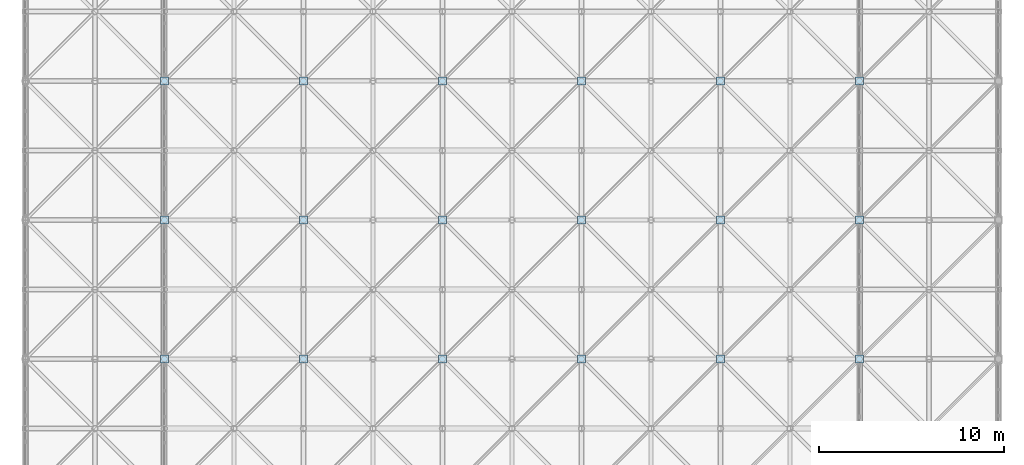
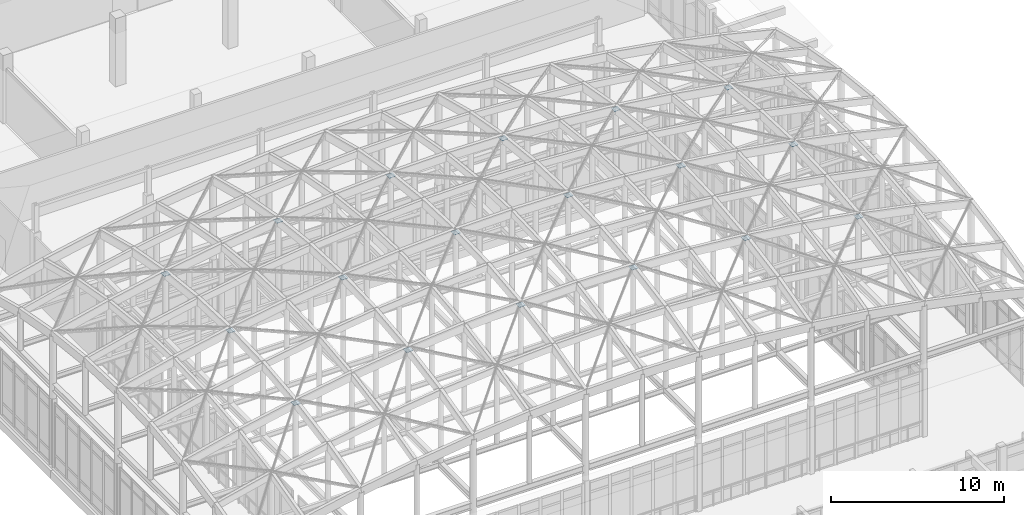
# One storey, part 96 of 131: 18 plates.
"""IFC4 building model written with IfcOpenShell, lengths in metres."""

from ifc_helpers import new_model, si_unit, direction, frame, origin, origin_2d, place, context, subcontext, project, spatial, rectangle, extrude, material, layer, layer_set, type_object, element, save


model = new_model("IFC4")

# Units and contexts
model_context = context("Model", 3, precision=1e-05, world=origin(), true_north=direction((0.0, 1.0)))
body_context = subcontext(model_context, "Body", "Model", "MODEL_VIEW")
ifc_project = project(units=[si_unit("LENGTHUNIT", "METRE"), si_unit("AREAUNIT", "SQUARE_METRE"), si_unit("VOLUMEUNIT", "CUBIC_METRE"), si_unit("PLANEANGLEUNIT", "RADIAN"), si_unit("MASSUNIT", "GRAM", prefix="KILO")], contexts=[model_context])

# Site, building, storey
site_placement = place(None, origin())
site = spatial("IfcSite", under=ifc_project, at=site_placement, CompositionType="ELEMENT")
building_placement = place(site_placement, origin())
building = spatial("IfcBuilding", under=site, at=building_placement, Name="Dalvernix Boulevard General Hospital", CompositionType="ELEMENT")
storey_placement = place(building_placement, frame((0.0, 0.0, 9.300048828125)))
storey = spatial("IfcBuildingStorey", under=building, at=storey_placement, Name="L02", CompositionType="ELEMENT", Elevation=9.300048828125)

# Plates
ifc_material = material(Name="Steel S355", Category="steel")
ifc_layer = layer(ifc_material, 0.02392578125)
ifc_layer_set = layer_set([ifc_layer], Name="Steel S355 (PLT-NP-02)")
plate_type = type_object("IfcPlateType", Name="PLT-NP-02", PredefinedType="SHEET", material=ifc_layer_set)
for number, where, z_axis, x_axis, name in (
    (1, (67.5, 39.0, 10.853271484375), (0.0, 0.0, 1.0), (1.0, 0.0, 0.0), "Gridshell steel node connector 2-2"),
    (2, (67.5, 46.5, 11.4033203125), (0.0, 0.0, 1.0), (1.0, 0.0, 0.0), "Gridshell steel node connector 2-4"),
    (3, (67.5, 54.0, 10.853271484375), (0.0, 0.0, 1.0), (1.0, 0.0, 0.0), "Gridshell steel node connector 2-6"),
    (4, (75.0, 39.0, 11.96337890625), (0.0, 0.0, 1.0), (1.0, 0.0, 0.0), "Gridshell steel node connector 4-2"),
    (5, (75.0, 46.5, 12.513427734375), (0.0, 0.0, 1.0), (1.0, 0.0, 0.0), "Gridshell steel node connector 4-4"),
    (6, (75.0, 54.0, 11.96337890625), (0.0, 0.0, 1.0), (1.0, 0.0, 0.0), "Gridshell steel node connector 4-6"),
    (7, (82.5, 39.0, 12.5185546875), (0.0, 0.0, 1.0), (1.0, 0.0, 0.0), "Gridshell steel node connector 6-2"),
    (8, (82.5, 46.5, 13.068603515625), (0.0, 0.0, 1.0), (1.0, 0.0, 0.0), "Gridshell steel node connector 6-4"),
    (9, (82.5, 54.0, 12.5185546875), (0.0, 0.0, 1.0), (1.0, 0.0, 0.0), "Gridshell steel node connector 6-6"),
    (10, (90.0, 39.0, 12.5185546875), (0.0, 0.0, 1.0), (1.0, 0.0, 0.0), "Gridshell steel node connector 8-2"),
    (11, (90.0, 46.5, 13.068603515625), (0.0, 0.0, 1.0), (1.0, 0.0, 0.0), "Gridshell steel node connector 8-4"),
    (12, (90.0, 54.0, 12.5185546875), (0.0, 0.0, 1.0), (1.0, 0.0, 0.0), "Gridshell steel node connector 8-6"),
    (13, (97.5, 39.0, 11.96337890625), (0.0, 0.0, 1.0), (1.0, 0.0, 0.0), "Gridshell steel node connector 10-2"),
    (14, (97.5, 46.5, 12.513427734375), (0.0, 0.0, 1.0), (1.0, 0.0, 0.0), "Gridshell steel node connector 10-4"),
    (15, (97.5, 54.0, 11.96337890625), (0.0, 0.0, 1.0), (1.0, 0.0, 0.0), "Gridshell steel node connector 10-6"),
    (16, (105.0, 39.0, 10.853271484375), (0.0, 0.0, 1.0), (1.0, 0.0, 0.0), "Gridshell steel node connector 12-2"),
    (17, (105.0, 46.5, 11.4033203125), (0.0, 0.0, 1.0), (1.0, 0.0, 0.0), "Gridshell steel node connector 12-4"),
    (18, (105.0, 54.0, 10.853271484375), (0.0, 0.0, 1.0), (1.0, 0.0, 0.0), "Gridshell steel node connector 12-6"),
):
    element("IfcPlate", number, at=place(storey_placement, frame(where, z_axis=z_axis, x_axis=x_axis)), inside=storey, type_object=plate_type, Name=name, PredefinedType="SHEET", context=body_context, shape_type="SweptSolid", body=[
        extrude(rectangle(XDim=0.419921875, YDim=0.419921875, at=origin_2d()), origin(), (0.0, 0.0, 1.0), 0.02392578125),
    ])

save(model, "model.ifc")
